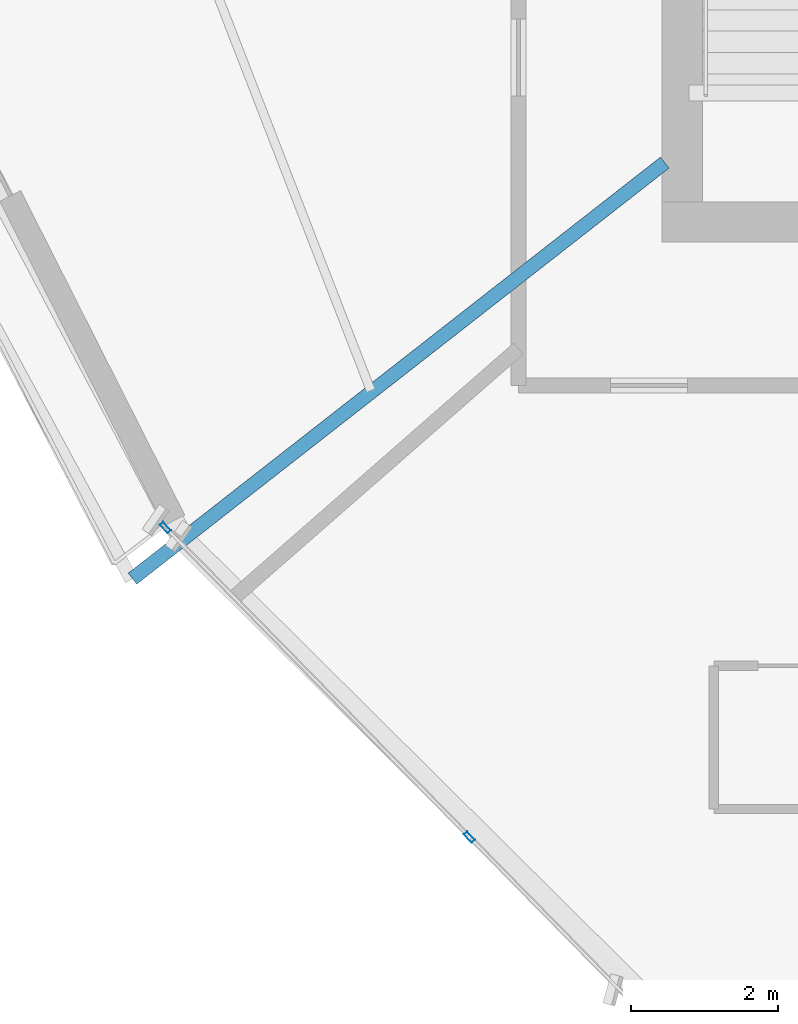
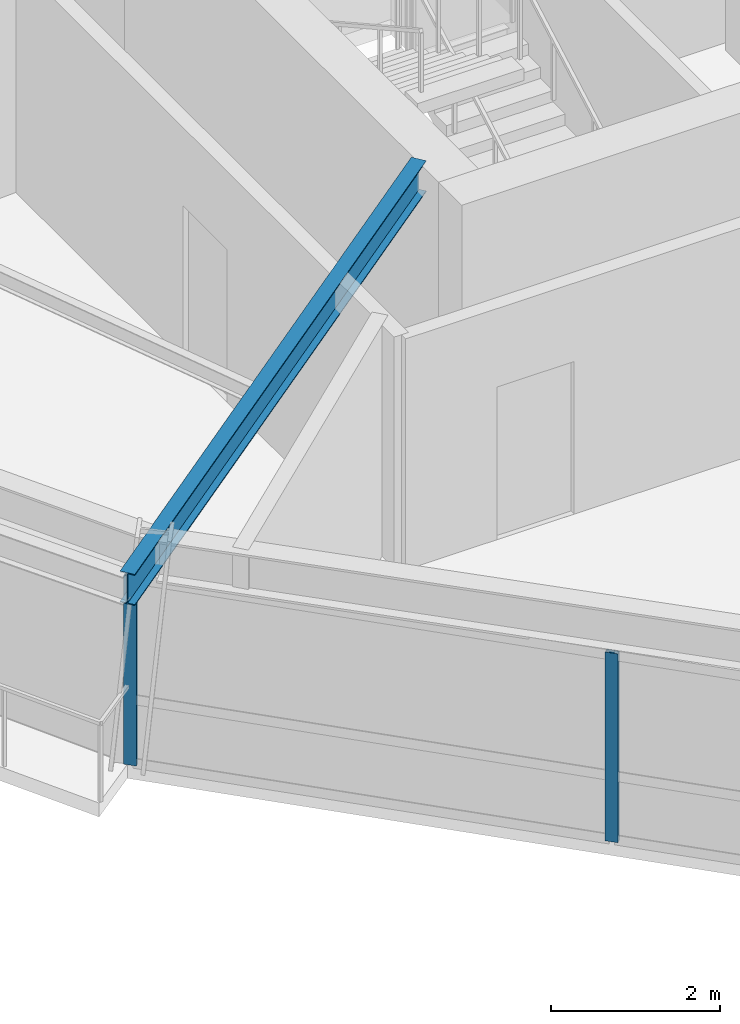
# One storey, part 2 of 14: 2 members, 1 beam, 1 element without a shape of its own.
"""IFC4 building model written with IfcOpenShell, lengths in metres."""

from ifc_helpers import new_model, si_unit, direction, frame, origin, origin_2d, place, context, subcontext, project, spatial, hollow_rectangle, i_section, extrude, source, transform, mapped, material, material_profile, profile_set, type_object, element, aggregate, save


model = new_model("IFC4")

# Units and contexts
model_context = context("Model", 3, precision=1e-05, world=origin(), true_north=direction((0.0, 1.0)))
body_context = subcontext(model_context, "Body", "Model", "MODEL_VIEW")
ifc_project = project(units=[si_unit("LENGTHUNIT", "METRE"), si_unit("AREAUNIT", "SQUARE_METRE"), si_unit("VOLUMEUNIT", "CUBIC_METRE"), si_unit("PLANEANGLEUNIT", "RADIAN"), si_unit("MASSUNIT", "GRAM", prefix="KILO")], contexts=[model_context])

# Site, building, storey
site_placement = place(None, origin())
site = spatial("IfcSite", under=ifc_project, at=site_placement, CompositionType="ELEMENT")
building_placement = place(site_placement, origin())
building = spatial("IfcBuilding", under=site, at=building_placement, Name="Olszyna Solenne Hotel", CompositionType="ELEMENT")
storey_placement = place(building_placement, frame((0.0, 0.0, 185.64990234375)))
storey = spatial("IfcBuildingStorey", under=building, at=storey_placement, Name="L49", CompositionType="ELEMENT", Elevation=185.64990234375)

# Beam
ifc_material_1 = material(Name="Steel S355J2", Category="steel")
ifc_material_profile_1 = material_profile(ifc_material_1, i_section(OverallWidth=0.18994140625, OverallDepth=0.449951171875, WebThickness=0.009521484375, FlangeThickness=0.0146484375, at=origin_2d()), Name="IPE 450", Category="load-bearing")
ifc_profile_set_1 = profile_set([ifc_material_profile_1], Name="Steel S355J2")
beam_type = type_object("IfcBeamType", Name="BM-F4", PredefinedType="BEAM", material=ifc_profile_set_1)
shared_shape_1 = source(origin(), body_context, "Body", "SweptSolid", [
    extrude(i_section(OverallWidth=0.18994140625, OverallDepth=0.449951171875, WebThickness=0.009521484375, FlangeThickness=0.0146484375, at=origin_2d()), origin(), (0.0, 0.0, 1.0), 9.189453125),
])
beam_placement = place(storey_placement, frame((22.348876953125, 14.37353515625, 3.10498046875), z_axis=(0.787902316852, 0.615800242854, 0.0), x_axis=(-0.615800242854, 0.787902316852, 0.0)))
element("IfcBeam", 1, at=beam_placement, inside=storey, type_object=beam_type, Name="Radial floor girder BM-F4 B-L49-1469", PredefinedType="BEAM", context=body_context, shape_type="MappedRepresentation", body=[
    mapped(shared_shape_1, transform((0.0, 0.0, 0.0), x_axis=(1.0, 0.0, 0.0), y_axis=(0.0, 1.0, 0.0), z_axis=(0.0, 0.0, 1.0), scale=1.0)),
])

# Curtain wall, members
ifc_material_2 = material(Name="Anodised bronze aluminium", Category="aluminium")
curtain_wall_type = type_object("IfcCurtainWallType", Name="CW-SYS-4", PredefinedType="NOTDEFINED", material=ifc_material_2)
curtain_wall_placement = place(storey_placement, origin())
curtain_wall = element("IfcCurtainWall", 2, at=curtain_wall_placement, inside=storey, type_object=curtain_wall_type, Name="Unitised curtain wall CW-SYS-4 CW-L49-01", PredefinedType="NOTDEFINED")
ifc_material_profile_2 = material_profile(ifc_material_2, hollow_rectangle(XDim=0.06494140625, YDim=0.159912109375, WallThickness=0.00390625, at=origin_2d()), Name="MULL 160x65x4", Category="load-bearing")
ifc_profile_set_2 = profile_set([ifc_material_profile_2], Name="Anodised bronze aluminium")
member_type = type_object("IfcMemberType", Name="CW-M3", PredefinedType="MULLION", material=ifc_profile_set_2)
shared_shape_2 = source(origin(), body_context, "Body", "SweptSolid", [
    extrude(hollow_rectangle(XDim=0.06494140625, YDim=0.159912109375, WallThickness=0.00390625, at=origin_2d()), origin(), (0.0, 0.0, 1.0), 2.72216796875),
])
member_1_placement = place(storey_placement, frame((22.7978515625, 15.069580078125, 0.0), z_axis=(0.0, 0.0, 1.0), x_axis=(0.71346852271, 0.700687281961, 0.0)))
member_1 = element("IfcMember", 3, at=member_1_placement, type_object=member_type, Name="Curtain-wall mullion CW-M3 CM-L49-01-01", PredefinedType="MULLION", context=body_context, shape_type="MappedRepresentation", body=[
    mapped(shared_shape_2, transform((0.0, 0.0, 0.0), x_axis=(1.0, 0.0, 0.0), y_axis=(0.0, 1.0, 0.0), z_axis=(0.0, 0.0, 1.0), scale=1.0)),
])
member_2_placement = place(storey_placement, frame((26.932373046875, 10.859619140625, 0.0), z_axis=(0.0, 0.0, 1.0), x_axis=(0.71346852271, 0.700687281961, 0.0)))
member_2 = element("IfcMember", 4, at=member_2_placement, type_object=member_type, Name="Curtain-wall mullion CW-M3 CM-L49-01-02", PredefinedType="MULLION", context=body_context, shape_type="MappedRepresentation", body=[
    mapped(shared_shape_2, transform((0.0, 0.0, 0.0), x_axis=(1.0, 0.0, 0.0), y_axis=(0.0, 1.0, 0.0), z_axis=(0.0, 0.0, 1.0), scale=1.0)),
])
aggregate(curtain_wall, [member_1, member_2])

save(model, "model.ifc")
